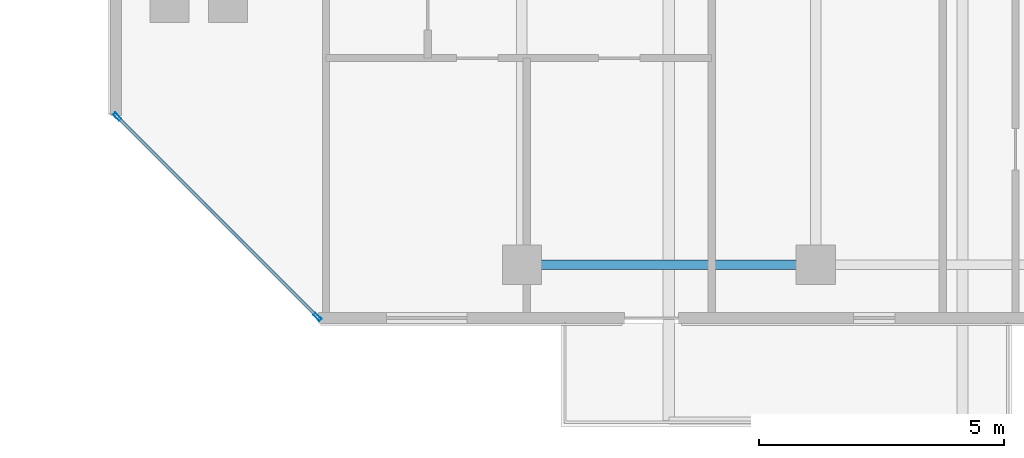
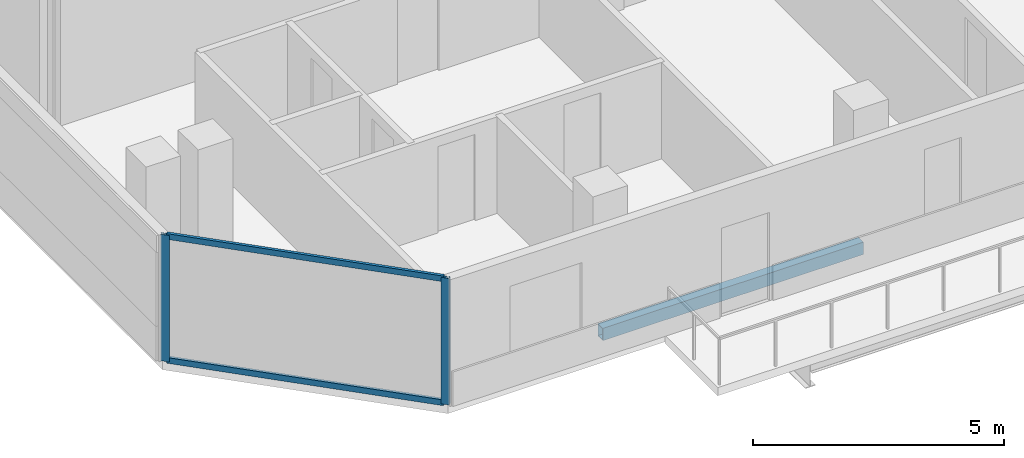
# One storey, part 2 of 28: 4 members, 1 beam, 1 element without a shape of its own.
"""IFC4 building model written with IfcOpenShell, lengths in metres."""

from ifc_helpers import new_model, si_unit, direction, frame, origin, origin_2d, place, context, subcontext, project, spatial, hollow_rectangle, extrude, material, layer, layer_set, material_profile, profile_set, type_object, element, aggregate, save


model = new_model("IFC4")

# Units and contexts
model_context = context("Model", 3, precision=1e-05, world=origin(), true_north=direction((0.0, 1.0)))
body_context = subcontext(model_context, "Body", "Model", "MODEL_VIEW")
ifc_project = project(units=[si_unit("LENGTHUNIT", "METRE"), si_unit("AREAUNIT", "SQUARE_METRE"), si_unit("VOLUMEUNIT", "CUBIC_METRE"), si_unit("PLANEANGLEUNIT", "RADIAN"), si_unit("MASSUNIT", "GRAM", prefix="KILO")], contexts=[model_context])

# Site, building, storey
site_placement = place(None, origin())
site = spatial("IfcSite", under=ifc_project, at=site_placement, CompositionType="ELEMENT")
building_placement = place(site_placement, origin())
building = spatial("IfcBuilding", under=site, at=building_placement, Name="Tanjung Sevakor Pilgrim Tower", CompositionType="ELEMENT")
storey_placement = place(building_placement, frame((0.0, 0.0, 185.1298828125)))
storey = spatial("IfcBuildingStorey", under=building, at=storey_placement, Name="L51", CompositionType="ELEMENT", Elevation=185.1298828125)

# Beam
ifc_material_1 = material(Name="Steel S355J2", Category="steel")
ifc_material_profile_1 = material_profile(ifc_material_1, hollow_rectangle(XDim=0.199951171875, YDim=0.300048828125, WallThickness=0.012451171875, at=origin_2d()))
ifc_profile_set_1 = profile_set([ifc_material_profile_1], Name="Steel S355J2")
beam_type = type_object("IfcBeamType", Name="BM-B-SP3-RHS_300x200x12.5", PredefinedType="SPANDREL", material=ifc_profile_set_1)
beam_placement = place(storey_placement, frame((30.0, 13.25, -0.369873046875), z_axis=(1.0, 0.0, 0.0), x_axis=(0.0, 1.0, 0.0)))
element("IfcBeam", 1, at=beam_placement, inside=storey, type_object=beam_type, Name="L51 Spandrel MAIN S-01", PredefinedType="SPANDREL", context=body_context, shape_type="SweptSolid", body=[
    extrude(hollow_rectangle(XDim=0.199951171875, YDim=0.300048828125, WallThickness=0.012451171875, at=origin_2d()), origin(), (0.0, 0.0, 1.0), 6.0),
])

# Curtain wall, members
ifc_material_2 = material(Name="Aluminium 6063-T6 and Low-E Glass", Category="aluminium")
ifc_layer = layer(ifc_material_2, 0.179931640625)
ifc_layer_set = layer_set([ifc_layer], Name="CW-SYS-CHAM")
curtain_wall_type = type_object("IfcCurtainWallType", Name="CW-SYS-CHAM", PredefinedType="NOTDEFINED", material=ifc_layer_set)
curtain_wall_placement = place(storey_placement, origin())
curtain_wall = element("IfcCurtainWall", 2, at=curtain_wall_placement, inside=storey, type_object=curtain_wall_type, Name="L51 Curtain Wall CW-CHM-L51-MAIN-15", PredefinedType="NOTDEFINED")
ifc_material_3 = material(Name="Aluminium 6063-T6", Category="aluminium")
ifc_material_profile_2 = material_profile(ifc_material_3, hollow_rectangle(XDim=0.06494140625, YDim=0.179931640625, WallThickness=0.00390625, at=origin_2d()))
ifc_profile_set_2 = profile_set([ifc_material_profile_2], Name="Aluminium 6063-T6")
member_type_1 = type_object("IfcMemberType", Name="TYPE-CWM-1", PredefinedType="MULLION", material=ifc_profile_set_2)
member_1_placement = place(storey_placement, frame((21.73291015625, 16.272705078125, 0.0), z_axis=(0.0, 0.0, 1.0), x_axis=(0.707106781187, 0.707106781187, 0.0)))
member_1 = element("IfcMember", 3, at=member_1_placement, type_object=member_type_1, Name="CW-CHM mullion 1", PredefinedType="MULLION", context=body_context, shape_type="SweptSolid", body=[
    extrude(hollow_rectangle(XDim=0.06494140625, YDim=0.179931640625, WallThickness=0.00390625, at=origin_2d()), origin(), (0.0, 0.0, 1.0), 3.080078125),
])
member_2_placement = place(storey_placement, frame((25.822509765625, 12.182861328125, 0.0), z_axis=(0.0, 0.0, 1.0), x_axis=(0.707106781187, 0.707106781187, 0.0)))
member_2 = element("IfcMember", 4, at=member_2_placement, type_object=member_type_1, Name="CW-CHM mullion 2", PredefinedType="MULLION", context=body_context, shape_type="SweptSolid", body=[
    extrude(hollow_rectangle(XDim=0.06494140625, YDim=0.179931640625, WallThickness=0.00390625, at=origin_2d()), origin(), (0.0, 0.0, 1.0), 3.080078125),
])
ifc_material_4 = material(Name="Aluminium 6063-T6", Category="aluminium")
ifc_material_profile_3 = material_profile(ifc_material_4, hollow_rectangle(XDim=0.06494140625, YDim=0.139892578125, WallThickness=0.00390625, at=origin_2d()))
ifc_profile_set_3 = profile_set([ifc_material_profile_3], Name="Aluminium 6063-T6")
member_type_2 = type_object("IfcMemberType", Name="TYPE-CWT-1", PredefinedType="USERDEFINED", material=ifc_profile_set_3)
member_3_placement = place(storey_placement, frame((21.755859375, 16.249755859375, 0.03271484375), z_axis=(0.707106781187, -0.707106781187, 0.0), x_axis=(0.707106781187, 0.707106781187, 0.0)))
member_3 = element("IfcMember", 5, at=member_3_placement, type_object=member_type_2, Name="CW-CHM transom 1.1", ObjectType="TRANSOM", PredefinedType="USERDEFINED", context=body_context, shape_type="SweptSolid", body=[
    extrude(hollow_rectangle(XDim=0.06494140625, YDim=0.139892578125, WallThickness=0.00390625, at=origin_2d()), origin(), (0.0, 0.0, 1.0), 5.71875),
])
member_4_placement = place(storey_placement, frame((21.755859375, 16.249755859375, 3.047607421875), z_axis=(0.707106781187, -0.707106781187, 0.0), x_axis=(0.707106781187, 0.707106781187, 0.0)))
member_4 = element("IfcMember", 6, at=member_4_placement, type_object=member_type_2, Name="CW-CHM transom 1.2", ObjectType="TRANSOM", PredefinedType="USERDEFINED", context=body_context, shape_type="SweptSolid", body=[
    extrude(hollow_rectangle(XDim=0.06494140625, YDim=0.139892578125, WallThickness=0.00390625, at=origin_2d()), origin(), (0.0, 0.0, 1.0), 5.71875),
])
aggregate(curtain_wall, [member_1, member_2, member_3, member_4])

save(model, "model.ifc")
